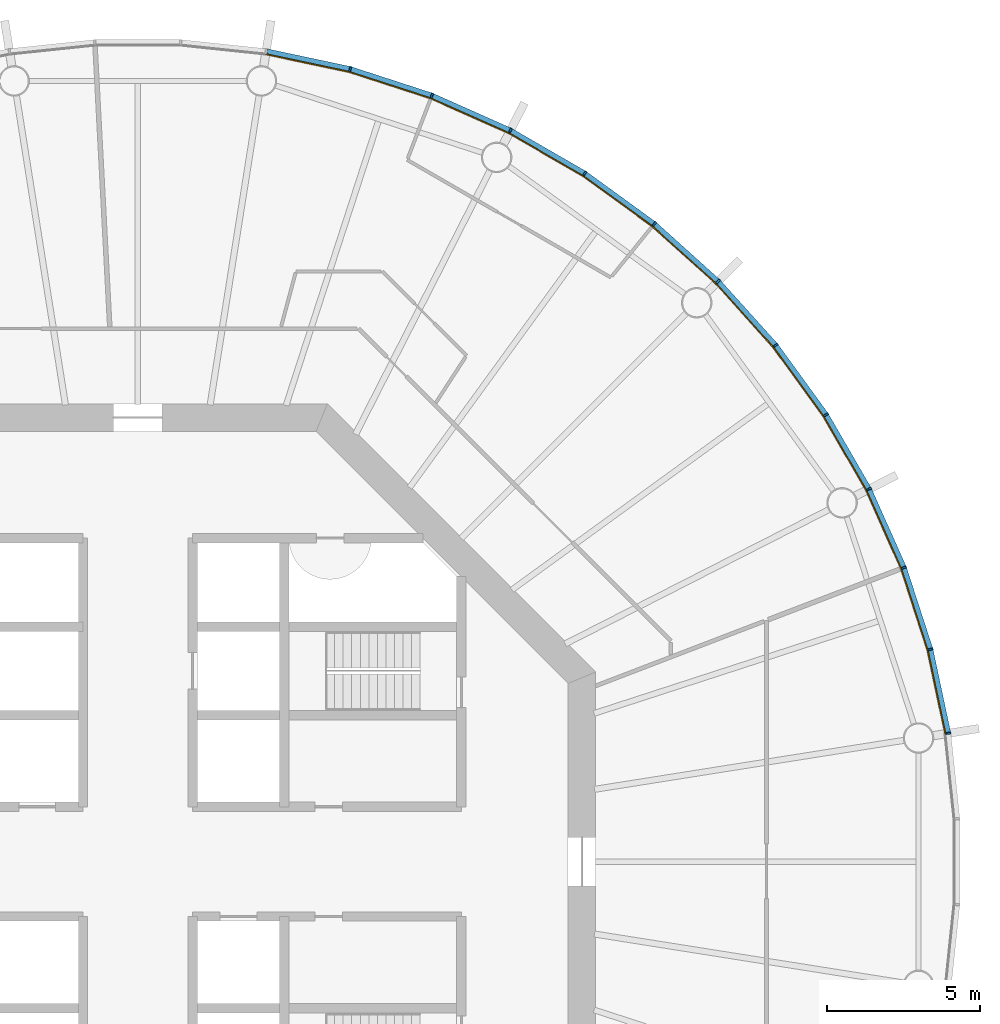
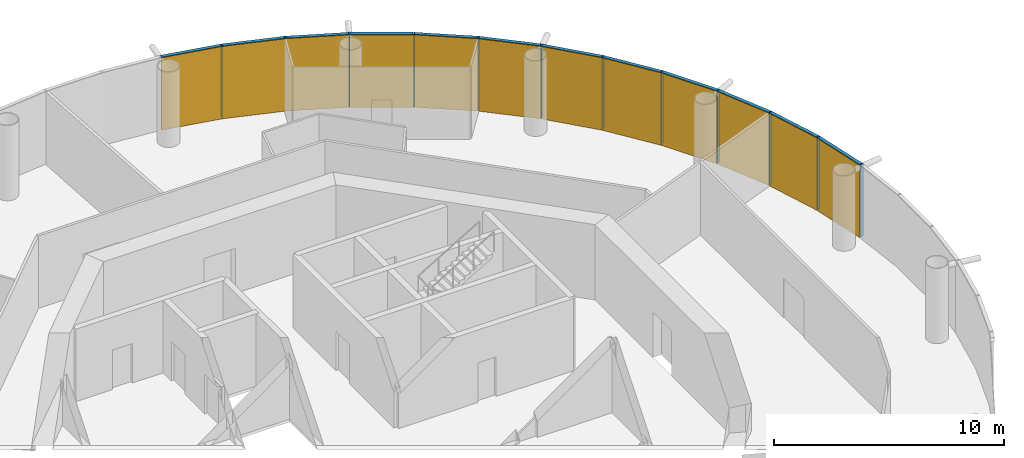
# One storey, part 11 of 12: 24 members, 4 curtain walls.
"""IFC4 building model written with IfcOpenShell, lengths in metres."""

from ifc_helpers import new_model, si_unit, direction, frame, origin, origin_2d, place, context, subcontext, project, spatial, polyline, rectangle, outline, extrude, material, layer, layer_set, material_profile, profile_set, type_object, element, aggregate, save


model = new_model("IFC4")

# Units and contexts
model_context = context("Model", 3, precision=1e-05, world=origin(), true_north=direction((0.0, 1.0)))
body_context = subcontext(model_context, "Body", "Model", "MODEL_VIEW")
ifc_project = project(units=[si_unit("LENGTHUNIT", "METRE"), si_unit("AREAUNIT", "SQUARE_METRE"), si_unit("VOLUMEUNIT", "CUBIC_METRE"), si_unit("PLANEANGLEUNIT", "RADIAN"), si_unit("MASSUNIT", "GRAM", prefix="KILO")], contexts=[model_context])

# Member
ifc_material_1 = material(Name="Anodised aluminium", Category="aluminium")
ifc_material_profile_1 = material_profile(ifc_material_1, rectangle(XDim=0.06005859375, YDim=0.169921875, at=origin_2d()), Name="Mullion 60 x 170 mm anodised aluminium")
ifc_profile_set_1 = profile_set([ifc_material_profile_1], Name="Anodised aluminium")
member_type_1 = type_object("IfcMemberType", Name="Mullion 60 x 170 mm anodised aluminium", PredefinedType="MULLION", material=ifc_profile_set_1)
site_placement = place(None, origin())
building_placement = place(site_placement, origin())
storey_placement = place(building_placement, frame((0.0, 0.0, 246.0)))
member_1_placement = place(storey_placement, frame((116.553955078125, 84.205810546875, 0.0), z_axis=(0.0, 0.0, 1.0), x_axis=(-0.15643446504, 0.987688340595, 0.0)))
member_1 = element("IfcMember", 1, at=member_1_placement, type_object=member_type_1, Name="MULLION L56-00", PredefinedType="MULLION", context=body_context, shape_type="SweptSolid", body=[
    extrude(rectangle(XDim=0.06005859375, YDim=0.169921875, at=origin_2d()), origin(), (0.0, 0.0, 1.0), 3.85009765625),
])

member_2_placement = place(storey_placement, frame((115.968994140625, 86.958251953125, 0.0), z_axis=(0.0, 0.0, 1.0), x_axis=(-0.258819045103, 0.965925826289, 0.0)))
member_2 = element("IfcMember", 2, at=member_2_placement, type_object=member_type_1, Name="MULLION L56-01", PredefinedType="MULLION", context=body_context, shape_type="SweptSolid", body=[
    extrude(rectangle(XDim=0.06005859375, YDim=0.169921875, at=origin_2d()), origin(), (0.0, 0.0, 1.0), 3.85009765625),
])

member_3_placement = place(storey_placement, frame((115.099365234375, 89.634765625, 0.0), z_axis=(0.0, 0.0, 1.0), x_axis=(-0.358367949545, 0.933580426497, 0.0)))
member_3 = element("IfcMember", 3, at=member_3_placement, type_object=member_type_1, Name="MULLION L56-02", PredefinedType="MULLION", context=body_context, shape_type="SweptSolid", body=[
    extrude(rectangle(XDim=0.06005859375, YDim=0.169921875, at=origin_2d()), origin(), (0.0, 0.0, 1.0), 3.85009765625),
])

member_4_placement = place(storey_placement, frame((113.95458984375, 92.20556640625, 0.0), z_axis=(0.0, 0.0, 1.0), x_axis=(-0.45399049974, 0.891006524188, 0.0)))
member_4 = element("IfcMember", 4, at=member_4_placement, type_object=member_type_1, Name="MULLION L56-03", PredefinedType="MULLION", context=body_context, shape_type="SweptSolid", body=[
    extrude(rectangle(XDim=0.06005859375, YDim=0.169921875, at=origin_2d()), origin(), (0.0, 0.0, 1.0), 3.85009765625),
])

member_5_placement = place(storey_placement, frame((112.547607421875, 94.642578125, 0.0), z_axis=(0.0, 0.0, 1.0), x_axis=(-0.544639035015, 0.838670567945, 0.0)))
member_5 = element("IfcMember", 5, at=member_5_placement, type_object=member_type_1, Name="MULLION L56-04", PredefinedType="MULLION", context=body_context, shape_type="SweptSolid", body=[
    extrude(rectangle(XDim=0.06005859375, YDim=0.169921875, at=origin_2d()), origin(), (0.0, 0.0, 1.0), 3.85009765625),
])

member_6_placement = place(storey_placement, frame((110.8935546875, 96.919189453125, 0.0), z_axis=(0.0, 0.0, 1.0), x_axis=(-0.62932039105, 0.777145961457, 0.0)))
member_6 = element("IfcMember", 6, at=member_6_placement, type_object=member_type_1, Name="MULLION L56-05", PredefinedType="MULLION", context=body_context, shape_type="SweptSolid", body=[
    extrude(rectangle(XDim=0.06005859375, YDim=0.169921875, at=origin_2d()), origin(), (0.0, 0.0, 1.0), 3.85009765625),
])

member_7_placement = place(storey_placement, frame((109.010498046875, 99.010498046875, 0.0), z_axis=(0.0, 0.0, 1.0), x_axis=(-0.707106781187, 0.707106781187, 0.0)))
member_7 = element("IfcMember", 7, at=member_7_placement, type_object=member_type_1, Name="MULLION L56-06", PredefinedType="MULLION", context=body_context, shape_type="SweptSolid", body=[
    extrude(rectangle(XDim=0.06005859375, YDim=0.169921875, at=origin_2d()), origin(), (0.0, 0.0, 1.0), 3.85009765625),
])

member_8_placement = place(storey_placement, frame((106.919189453125, 100.8935546875, 0.0), z_axis=(0.0, 0.0, 1.0), x_axis=(-0.777145961457, 0.62932039105, 0.0)))
member_8 = element("IfcMember", 8, at=member_8_placement, type_object=member_type_1, Name="MULLION L56-07", PredefinedType="MULLION", context=body_context, shape_type="SweptSolid", body=[
    extrude(rectangle(XDim=0.06005859375, YDim=0.169921875, at=origin_2d()), origin(), (0.0, 0.0, 1.0), 3.85009765625),
])

member_9_placement = place(storey_placement, frame((104.642578125, 102.547607421875, 0.0), z_axis=(0.0, 0.0, 1.0), x_axis=(-0.838670567945, 0.544639035015, 0.0)))
member_9 = element("IfcMember", 9, at=member_9_placement, type_object=member_type_1, Name="MULLION L56-08", PredefinedType="MULLION", context=body_context, shape_type="SweptSolid", body=[
    extrude(rectangle(XDim=0.06005859375, YDim=0.169921875, at=origin_2d()), origin(), (0.0, 0.0, 1.0), 3.85009765625),
])

member_10_placement = place(storey_placement, frame((102.20556640625, 103.95458984375, 0.0), z_axis=(0.0, 0.0, 1.0), x_axis=(-0.891006524188, 0.45399049974, 0.0)))
member_10 = element("IfcMember", 10, at=member_10_placement, type_object=member_type_1, Name="MULLION L56-09", PredefinedType="MULLION", context=body_context, shape_type="SweptSolid", body=[
    extrude(rectangle(XDim=0.06005859375, YDim=0.169921875, at=origin_2d()), origin(), (0.0, 0.0, 1.0), 3.85009765625),
])

member_11_placement = place(storey_placement, frame((99.634765625, 105.099365234375, 0.0), z_axis=(0.0, 0.0, 1.0), x_axis=(-0.933580426497, 0.358367949545, 0.0)))
member_11 = element("IfcMember", 11, at=member_11_placement, type_object=member_type_1, Name="MULLION L56-10", PredefinedType="MULLION", context=body_context, shape_type="SweptSolid", body=[
    extrude(rectangle(XDim=0.06005859375, YDim=0.169921875, at=origin_2d()), origin(), (0.0, 0.0, 1.0), 3.85009765625),
])

member_12_placement = place(storey_placement, frame((96.958251953125, 105.968994140625, 0.0), z_axis=(0.0, 0.0, 1.0), x_axis=(-0.965925826289, 0.258819045103, 0.0)))
member_12 = element("IfcMember", 12, at=member_12_placement, type_object=member_type_1, Name="MULLION L56-11", PredefinedType="MULLION", context=body_context, shape_type="SweptSolid", body=[
    extrude(rectangle(XDim=0.06005859375, YDim=0.169921875, at=origin_2d()), origin(), (0.0, 0.0, 1.0), 3.85009765625),
])

ifc_material_2 = material(Name="Anodised aluminium", Category="aluminium")
ifc_material_profile_2 = material_profile(ifc_material_2, rectangle(XDim=0.169921875, YDim=0.1650390625, at=origin_2d()), Name="Transom 165 x 170 mm anodised aluminium")
ifc_profile_set_2 = profile_set([ifc_material_profile_2], Name="Anodised aluminium")
member_type_2 = type_object("IfcMemberType", Name="Transom 165 x 170 mm anodised aluminium", PredefinedType="USERDEFINED", material=ifc_profile_set_2)
member_13_placement = place(storey_placement, frame((116.546875, 84.239501953125, 3.767578125), z_axis=(-0.207937468562, 0.97814212115, 0.0), x_axis=(-0.97814212115, -0.207937468562, 0.0)))
member_13 = element("IfcMember", 13, at=member_13_placement, type_object=member_type_2, Name="TRANSOM L56-00", ObjectType="TRANSOM", PredefinedType="USERDEFINED", context=body_context, shape_type="SweptSolid", body=[
    extrude(rectangle(XDim=0.169921875, YDim=0.1650390625, at=origin_2d()), origin(), (0.0, 0.0, 1.0), 2.7451171875),
])

member_14_placement = place(storey_placement, frame((115.95849609375, 86.9912109375, 3.767578125), z_axis=(-0.309041831781, 0.951048445774, 0.0), x_axis=(-0.951048445774, -0.309041831781, 0.0)))
member_14 = element("IfcMember", 14, at=member_14_placement, type_object=member_type_2, Name="TRANSOM L56-01", ObjectType="TRANSOM", PredefinedType="USERDEFINED", context=body_context, shape_type="SweptSolid", body=[
    extrude(rectangle(XDim=0.169921875, YDim=0.1650390625, at=origin_2d()), origin(), (0.0, 0.0, 1.0), 2.7451171875),
])

member_15_placement = place(storey_placement, frame((115.08544921875, 89.666259765625, 3.767578125), z_axis=(-0.406781987391, 0.913525267704, 0.0), x_axis=(-0.913525267704, -0.406781987391, 0.0)))
member_15 = element("IfcMember", 15, at=member_15_placement, type_object=member_type_2, Name="TRANSOM L56-02", ObjectType="TRANSOM", PredefinedType="USERDEFINED", context=body_context, shape_type="SweptSolid", body=[
    extrude(rectangle(XDim=0.169921875, YDim=0.1650390625, at=origin_2d()), origin(), (0.0, 0.0, 1.0), 2.7451171875),
])

member_16_placement = place(storey_placement, frame((113.9375, 92.2353515625, 3.767578125), z_axis=(-0.49998419723, 0.866034527326, 0.0), x_axis=(-0.866034527326, -0.49998419723, 0.0)))
member_16 = element("IfcMember", 16, at=member_16_placement, type_object=member_type_2, Name="TRANSOM L56-03", ObjectType="TRANSOM", PredefinedType="USERDEFINED", context=body_context, shape_type="SweptSolid", body=[
    extrude(rectangle(XDim=0.169921875, YDim=0.1650390625, at=origin_2d()), origin(), (0.0, 0.0, 1.0), 2.7451171875),
])

member_17_placement = place(storey_placement, frame((112.527587890625, 94.670654296875, 3.767578125), z_axis=(-0.587864947412, 0.808959086484, 0.0), x_axis=(-0.808959086484, -0.587864947412, 0.0)))
member_17 = element("IfcMember", 17, at=member_17_placement, type_object=member_type_2, Name="TRANSOM L56-04", ObjectType="TRANSOM", PredefinedType="USERDEFINED", context=body_context, shape_type="SweptSolid", body=[
    extrude(rectangle(XDim=0.169921875, YDim=0.1650390625, at=origin_2d()), origin(), (0.0, 0.0, 1.0), 2.7451171875),
])

member_18_placement = place(storey_placement, frame((110.87060546875, 96.945068359375, 3.767578125), z_axis=(-0.669141598561, 0.743134927907, 0.0), x_axis=(-0.743134927907, -0.669141598561, 0.0)))
member_18 = element("IfcMember", 18, at=member_18_placement, type_object=member_type_2, Name="TRANSOM L56-05", ObjectType="TRANSOM", PredefinedType="USERDEFINED", context=body_context, shape_type="SweptSolid", body=[
    extrude(rectangle(XDim=0.169921875, YDim=0.1650390625, at=origin_2d()), origin(), (0.0, 0.0, 1.0), 2.7451171875),
])

member_19_placement = place(storey_placement, frame((108.985107421875, 99.03369140625, 3.767578125), z_axis=(-0.743134927907, 0.669141598561, 0.0), x_axis=(-0.669141598561, -0.743134927907, 0.0)))
member_19 = element("IfcMember", 19, at=member_19_placement, type_object=member_type_2, Name="TRANSOM L56-06", ObjectType="TRANSOM", PredefinedType="USERDEFINED", context=body_context, shape_type="SweptSolid", body=[
    extrude(rectangle(XDim=0.169921875, YDim=0.1650390625, at=origin_2d()), origin(), (0.0, 0.0, 1.0), 2.7451171875),
])

member_20_placement = place(storey_placement, frame((106.891357421875, 100.913818359375, 3.767578125), z_axis=(-0.808959086484, 0.587864947412, 0.0), x_axis=(-0.587864947412, -0.808959086484, 0.0)))
member_20 = element("IfcMember", 20, at=member_20_placement, type_object=member_type_2, Name="TRANSOM L56-07", ObjectType="TRANSOM", PredefinedType="USERDEFINED", context=body_context, shape_type="SweptSolid", body=[
    extrude(rectangle(XDim=0.169921875, YDim=0.1650390625, at=origin_2d()), origin(), (0.0, 0.0, 1.0), 2.7451171875),
])

member_21_placement = place(storey_placement, frame((104.61279296875, 102.56494140625, 3.767578125), z_axis=(-0.866034527326, 0.49998419723, 0.0), x_axis=(-0.49998419723, -0.866034527326, 0.0)))
member_21 = element("IfcMember", 21, at=member_21_placement, type_object=member_type_2, Name="TRANSOM L56-08", ObjectType="TRANSOM", PredefinedType="USERDEFINED", context=body_context, shape_type="SweptSolid", body=[
    extrude(rectangle(XDim=0.169921875, YDim=0.1650390625, at=origin_2d()), origin(), (0.0, 0.0, 1.0), 2.7451171875),
])

member_22_placement = place(storey_placement, frame((102.174072265625, 103.96875, 3.767578125), z_axis=(-0.913525267704, 0.406781987391, 0.0), x_axis=(-0.406781987391, -0.913525267704, 0.0)))
member_22 = element("IfcMember", 22, at=member_22_placement, type_object=member_type_2, Name="TRANSOM L56-09", ObjectType="TRANSOM", PredefinedType="USERDEFINED", context=body_context, shape_type="SweptSolid", body=[
    extrude(rectangle(XDim=0.169921875, YDim=0.1650390625, at=origin_2d()), origin(), (0.0, 0.0, 1.0), 2.7451171875),
])

member_23_placement = place(storey_placement, frame((99.60205078125, 105.110107421875, 3.767578125), z_axis=(-0.951048445774, 0.309041831781, 0.0), x_axis=(-0.309041831781, -0.951048445774, 0.0)))
member_23 = element("IfcMember", 23, at=member_23_placement, type_object=member_type_2, Name="TRANSOM L56-10", ObjectType="TRANSOM", PredefinedType="USERDEFINED", context=body_context, shape_type="SweptSolid", body=[
    extrude(rectangle(XDim=0.169921875, YDim=0.1650390625, at=origin_2d()), origin(), (0.0, 0.0, 1.0), 2.7451171875),
])

member_24_placement = place(storey_placement, frame((96.924560546875, 105.97607421875, 3.767578125), z_axis=(-0.97814212115, 0.207937468562, 0.0), x_axis=(-0.207937468562, -0.97814212115, 0.0)))
member_24 = element("IfcMember", 24, at=member_24_placement, type_object=member_type_2, Name="TRANSOM L56-11", ObjectType="TRANSOM", PredefinedType="USERDEFINED", context=body_context, shape_type="SweptSolid", body=[
    extrude(rectangle(XDim=0.169921875, YDim=0.1650390625, at=origin_2d()), origin(), (0.0, 0.0, 1.0), 2.7451171875),
])

# Site, building, storey
site = spatial("IfcSite", under=ifc_project, at=site_placement, CompositionType="ELEMENT")
building = spatial("IfcBuilding", under=site, at=building_placement, Name="Entoto Ring Tower", CompositionType="ELEMENT")
storey = spatial("IfcBuildingStorey", under=building, at=storey_placement, Name="L56", CompositionType="ELEMENT", Elevation=246.0)

# Curtain wall
ifc_material_3 = material(Name="Clear low-iron glass", Category="glass")
ifc_layer = layer(ifc_material_3, 0.031982421875)
ifc_layer_set = layer_set([ifc_layer], Name="Clear low-iron glass")
curtain_wall_type = type_object("IfcCurtainWallType", Name="Curtain wall system CW4 glazing 32 mm", PredefinedType="NOTDEFINED", material=ifc_layer_set)
curtain_wall_1_placement = place(storey_placement, origin())
curtain_wall_1 = element("IfcCurtainWall", 25, at=curtain_wall_1_placement, inside=storey, type_object=curtain_wall_type, Name="CW4 L56-01", PredefinedType="NOTDEFINED", context=body_context, shape_type="SweptSolid", body=[
    extrude(outline(polyline([(116.469970703125, 84.1923828125), (115.88671875, 86.936279296875), (115.02001953125, 89.604248046875), (113.87890625, 92.1669921875), (113.850341796875, 92.15234375), (114.989990234375, 89.5927734375), (115.85595703125, 86.927978515625), (116.4384765625, 84.1875), (116.469970703125, 84.1923828125)])), origin(), (0.0, 0.0, 1.0), 3.85009765625),
])

aggregate(curtain_wall_1, [member_1, member_2, member_3, member_13, member_14, member_15])

curtain_wall_2_placement = place(storey_placement, origin())
curtain_wall_2 = element("IfcCurtainWall", 26, at=curtain_wall_2_placement, inside=storey, type_object=curtain_wall_type, Name="CW4 L56-02", PredefinedType="NOTDEFINED", context=body_context, shape_type="SweptSolid", body=[
    extrude(outline(polyline([(113.87890625, 92.1669921875), (112.476318359375, 94.596435546875), (110.827392578125, 96.86572265625), (108.950439453125, 98.950439453125), (108.927734375, 98.927734375), (110.802490234375, 96.845703125), (112.449462890625, 94.578857421875), (113.850341796875, 92.15234375), (113.87890625, 92.1669921875)])), origin(), (0.0, 0.0, 1.0), 3.85009765625),
])

aggregate(curtain_wall_2, [member_4, member_5, member_6, member_16, member_17, member_18])

curtain_wall_3_placement = place(storey_placement, origin())
curtain_wall_3 = element("IfcCurtainWall", 27, at=curtain_wall_3_placement, inside=storey, type_object=curtain_wall_type, Name="CW4 L56-03", PredefinedType="NOTDEFINED", context=body_context, shape_type="SweptSolid", body=[
    extrude(outline(polyline([(108.950439453125, 98.950439453125), (106.86572265625, 100.827392578125), (104.596435546875, 102.476318359375), (102.1669921875, 103.87890625), (102.15234375, 103.850341796875), (104.578857421875, 102.449462890625), (106.845703125, 100.802490234375), (108.927734375, 98.927734375), (108.950439453125, 98.950439453125)])), origin(), (0.0, 0.0, 1.0), 3.85009765625),
])

aggregate(curtain_wall_3, [member_7, member_8, member_9, member_19, member_20, member_21])

curtain_wall_4_placement = place(storey_placement, origin())
curtain_wall_4 = element("IfcCurtainWall", 28, at=curtain_wall_4_placement, inside=storey, type_object=curtain_wall_type, Name="CW4 L56-04", PredefinedType="NOTDEFINED", context=body_context, shape_type="SweptSolid", body=[
    extrude(outline(polyline([(102.1669921875, 103.87890625), (99.604248046875, 105.02001953125), (96.936279296875, 105.88671875), (94.1923828125, 106.469970703125), (94.1875, 106.4384765625), (96.927978515625, 105.85595703125), (99.5927734375, 104.989990234375), (102.15234375, 103.850341796875), (102.1669921875, 103.87890625)])), origin(), (0.0, 0.0, 1.0), 3.85009765625),
])

aggregate(curtain_wall_4, [member_10, member_11, member_12, member_22, member_23, member_24])

save(model, "model.ifc")
